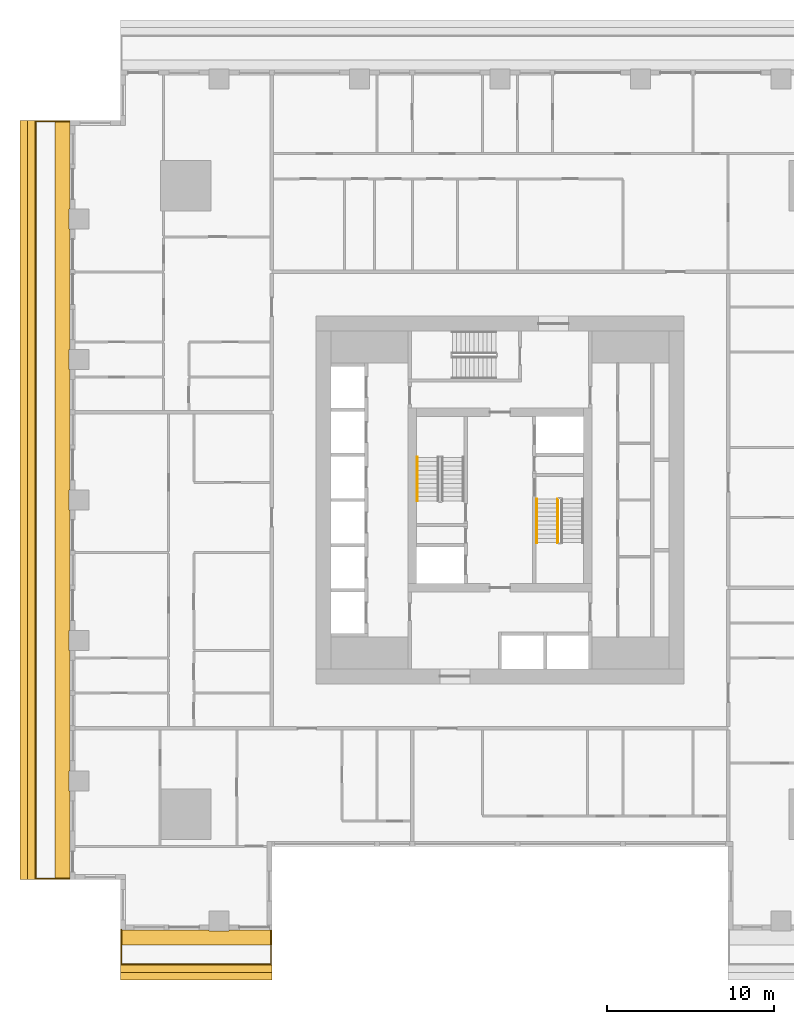
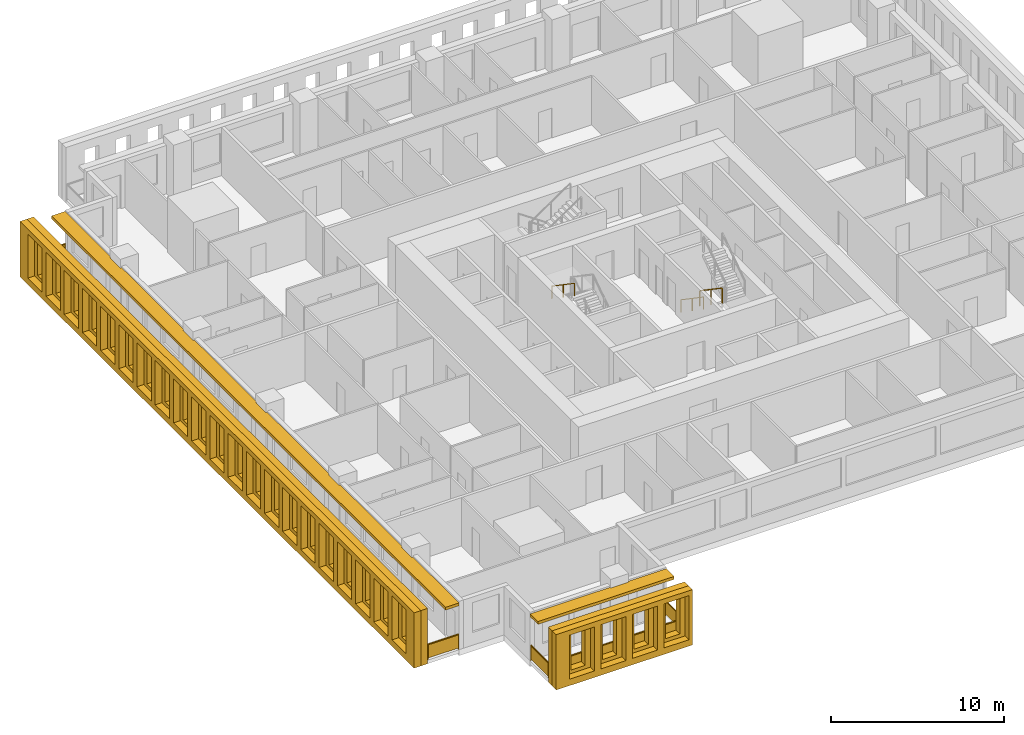
# One storey, part 10 of 14: 6 shading devices, 5 railings.
"""IFC4 building model written with IfcOpenShell, lengths in metres."""

from ifc_helpers import new_model, si_unit, direction, frame, origin, origin_2d, place, context, subcontext, project, spatial, polyline, rectangle, outline, extrude, material, layer, layer_set, type_object, element, save


model = new_model("IFC4")

# Units and contexts
model_context = context("Model", 3, precision=1e-05, world=origin(), true_north=direction((0.0, 1.0)))
body_context = subcontext(model_context, "Body", "Model", "MODEL_VIEW")
ifc_project = project(units=[si_unit("LENGTHUNIT", "METRE"), si_unit("AREAUNIT", "SQUARE_METRE"), si_unit("VOLUMEUNIT", "CUBIC_METRE"), si_unit("PLANEANGLEUNIT", "RADIAN"), si_unit("MASSUNIT", "GRAM", prefix="KILO")], contexts=[model_context])

# Site, building, storey
site_placement = place(None, origin())
site = spatial("IfcSite", under=ifc_project, at=site_placement, CompositionType="ELEMENT")
building_placement = place(site_placement, origin())
building = spatial("IfcBuilding", under=site, at=building_placement, Name="Khepri Terraces", CompositionType="ELEMENT")
storey_placement = place(building_placement, frame((0.0, 0.0, 69.89990234375)))
storey = spatial("IfcBuildingStorey", under=building, at=storey_placement, Name="L16", CompositionType="ELEMENT", Elevation=69.89990234375)

# Railings
ifc_material_1 = material(Name="Stainless steel grade 316", Category="steel")
railing_type_1 = type_object("IfcRailingType", Name="GRD-BAL-1100", PredefinedType="GUARDRAIL", material=ifc_material_1)
railing_1_placement = place(storey_placement, frame((-22.669921875, -25.719970703125, 0.0)))
element("IfcRailing", 1, at=railing_1_placement, inside=storey, type_object=railing_type_1, Name="Balcony guard L16 S", PredefinedType="GUARDRAIL", context=body_context, shape_type="SweptSolid", body=[
    extrude(rectangle(XDim=0.050048828125, YDim=0.06005859375, at=origin_2d()), frame((0.0, 0.0, 1.070068359375), z_axis=(0.0, -1.0, 0.0), x_axis=(1.0, 0.0, 0.0)), (0.0, 0.0, 1.0), 2.050048828125),
    extrude(rectangle(XDim=2.0, YDim=0.011962890625, at=origin_2d()), frame((0.0, -1.02490234375, 0.10009765625), z_axis=(0.0, 0.0, 1.0), x_axis=(0.0, -1.0, 0.0)), (0.0, 0.0, 1.0), 0.93994140625),
    extrude(rectangle(XDim=0.050048828125, YDim=0.06005859375, at=origin_2d()), frame((0.0, -2.050048828125, 1.070068359375), z_axis=(1.0, 0.0, 0.0), x_axis=(0.0, 1.0, 0.0)), (0.0, 0.0, 1.0), 8.969970703125),
    extrude(rectangle(XDim=2.1923828125, YDim=0.011962890625, at=origin_2d()), frame((1.121337890625, -2.050048828125, 0.10009765625), z_axis=(0.0, 0.0, 1.0), x_axis=(1.0, 0.0, 0.0)), (0.0, 0.0, 1.0), 0.93994140625),
    extrude(rectangle(XDim=2.1923828125, YDim=0.011962890625, at=origin_2d()), frame((3.36376953125, -2.050048828125, 0.10009765625), z_axis=(0.0, 0.0, 1.0), x_axis=(1.0, 0.0, 0.0)), (0.0, 0.0, 1.0), 0.93994140625),
    extrude(rectangle(XDim=2.1923828125, YDim=0.011962890625, at=origin_2d()), frame((5.606201171875, -2.050048828125, 0.10009765625), z_axis=(0.0, 0.0, 1.0), x_axis=(1.0, 0.0, 0.0)), (0.0, 0.0, 1.0), 0.93994140625),
    extrude(rectangle(XDim=2.1923828125, YDim=0.011962890625, at=origin_2d()), frame((7.8486328125, -2.050048828125, 0.10009765625), z_axis=(0.0, 0.0, 1.0), x_axis=(1.0, 0.0, 0.0)), (0.0, 0.0, 1.0), 0.93994140625),
    extrude(rectangle(XDim=0.050048828125, YDim=0.06005859375, at=origin_2d()), frame((8.969970703125, -2.050048828125, 1.070068359375), z_axis=(0.0, 1.0, 0.0), x_axis=(-1.0, 0.0, 0.0)), (0.0, 0.0, 1.0), 2.050048828125),
    extrude(rectangle(XDim=2.0, YDim=0.011962890625, at=origin_2d()), frame((8.969970703125, -1.02490234375, 0.10009765625), z_axis=(0.0, 0.0, 1.0), x_axis=(0.0, 1.0, 0.0)), (0.0, 0.0, 1.0), 0.93994140625),
    extrude(rectangle(XDim=0.050048828125, YDim=0.050048828125, at=origin_2d()), origin(), (0.0, 0.0, 1.0), 1.0400390625),
    extrude(rectangle(XDim=0.050048828125, YDim=0.050048828125, at=origin_2d()), frame((0.0, -2.050048828125, 0.0)), (0.0, 0.0, 1.0), 1.0400390625),
    extrude(rectangle(XDim=0.050048828125, YDim=0.050048828125, at=origin_2d()), frame((2.242431640625, -2.050048828125, 0.0)), (0.0, 0.0, 1.0), 1.0400390625),
    extrude(rectangle(XDim=0.050048828125, YDim=0.050048828125, at=origin_2d()), frame((4.48486328125, -2.050048828125, 0.0)), (0.0, 0.0, 1.0), 1.0400390625),
    extrude(rectangle(XDim=0.050048828125, YDim=0.050048828125, at=origin_2d()), frame((6.7275390625, -2.050048828125, 0.0)), (0.0, 0.0, 1.0), 1.0400390625),
    extrude(rectangle(XDim=0.050048828125, YDim=0.050048828125, at=origin_2d()), frame((8.969970703125, -2.050048828125, 0.0)), (0.0, 0.0, 1.0), 1.0400390625),
    extrude(rectangle(XDim=0.050048828125, YDim=0.050048828125, at=origin_2d()), frame((8.969970703125, 0.0, 0.0)), (0.0, 0.0, 1.0), 1.0400390625),
])
railing_2_placement = place(storey_placement, frame((-25.719970703125, 22.669921875, 0.0)))
element("IfcRailing", 2, at=railing_2_placement, inside=storey, type_object=railing_type_1, Name="Balcony guard L16 W", PredefinedType="GUARDRAIL", context=body_context, shape_type="SweptSolid", body=[
    extrude(rectangle(XDim=0.050048828125, YDim=0.06005859375, at=origin_2d()), frame((0.0, 0.0, 1.070068359375), z_axis=(-1.0, 0.0, 0.0), x_axis=(0.0, -1.0, 0.0)), (0.0, 0.0, 1.0), 2.050048828125),
    extrude(rectangle(XDim=2.0, YDim=0.011962890625, at=origin_2d()), frame((-1.02490234375, 0.0, 0.10009765625), z_axis=(0.0, 0.0, 1.0), x_axis=(-1.0, 0.0, 0.0)), (0.0, 0.0, 1.0), 0.93994140625),
    extrude(rectangle(XDim=0.050048828125, YDim=0.06005859375, at=origin_2d()), frame((-2.050048828125, 0.0, 1.070068359375), z_axis=(0.0, -1.0, 0.0), x_axis=(1.0, 0.0, 0.0)), (0.0, 0.0, 1.0), 45.33984375),
    extrude(rectangle(XDim=2.336181640625, YDim=0.011962890625, at=origin_2d()), frame((-2.050048828125, -1.193115234375, 0.10009765625), z_axis=(0.0, 0.0, 1.0), x_axis=(0.0, -1.0, 0.0)), (0.0, 0.0, 1.0), 0.93994140625),
    extrude(rectangle(XDim=2.336181640625, YDim=0.011962890625, at=origin_2d()), frame((-2.050048828125, -3.579345703125, 0.10009765625), z_axis=(0.0, 0.0, 1.0), x_axis=(0.0, -1.0, 0.0)), (0.0, 0.0, 1.0), 0.93994140625),
    extrude(rectangle(XDim=2.336181640625, YDim=0.011962890625, at=origin_2d()), frame((-2.050048828125, -5.9658203125, 0.10009765625), z_axis=(0.0, 0.0, 1.0), x_axis=(0.0, -1.0, 0.0)), (0.0, 0.0, 1.0), 0.93994140625),
    extrude(rectangle(XDim=2.336181640625, YDim=0.011962890625, at=origin_2d()), frame((-2.050048828125, -8.35205078125, 0.10009765625), z_axis=(0.0, 0.0, 1.0), x_axis=(0.0, -1.0, 0.0)), (0.0, 0.0, 1.0), 0.93994140625),
    extrude(rectangle(XDim=2.336181640625, YDim=0.011962890625, at=origin_2d()), frame((-2.050048828125, -10.73828125, 0.10009765625), z_axis=(0.0, 0.0, 1.0), x_axis=(0.0, -1.0, 0.0)), (0.0, 0.0, 1.0), 0.93994140625),
    extrude(rectangle(XDim=2.336181640625, YDim=0.011962890625, at=origin_2d()), frame((-2.050048828125, -13.124755859375, 0.10009765625), z_axis=(0.0, 0.0, 1.0), x_axis=(0.0, -1.0, 0.0)), (0.0, 0.0, 1.0), 0.93994140625),
    extrude(rectangle(XDim=2.336181640625, YDim=0.011962890625, at=origin_2d()), frame((-2.050048828125, -15.510986328125, 0.10009765625), z_axis=(0.0, 0.0, 1.0), x_axis=(0.0, -1.0, 0.0)), (0.0, 0.0, 1.0), 0.93994140625),
    extrude(rectangle(XDim=2.336181640625, YDim=0.011962890625, at=origin_2d()), frame((-2.050048828125, -17.897216796875, 0.10009765625), z_axis=(0.0, 0.0, 1.0), x_axis=(0.0, -1.0, 0.0)), (0.0, 0.0, 1.0), 0.93994140625),
    extrude(rectangle(XDim=2.336181640625, YDim=0.011962890625, at=origin_2d()), frame((-2.050048828125, -20.28369140625, 0.10009765625), z_axis=(0.0, 0.0, 1.0), x_axis=(0.0, -1.0, 0.0)), (0.0, 0.0, 1.0), 0.93994140625),
    extrude(rectangle(XDim=2.336181640625, YDim=0.011962890625, at=origin_2d()), frame((-2.050048828125, -22.669921875, 0.10009765625), z_axis=(0.0, 0.0, 1.0), x_axis=(0.0, -1.0, 0.0)), (0.0, 0.0, 1.0), 0.93994140625),
    extrude(rectangle(XDim=2.336181640625, YDim=0.011962890625, at=origin_2d()), frame((-2.050048828125, -25.05615234375, 0.10009765625), z_axis=(0.0, 0.0, 1.0), x_axis=(0.0, -1.0, 0.0)), (0.0, 0.0, 1.0), 0.93994140625),
    extrude(rectangle(XDim=2.336181640625, YDim=0.011962890625, at=origin_2d()), frame((-2.050048828125, -27.442626953125, 0.10009765625), z_axis=(0.0, 0.0, 1.0), x_axis=(0.0, -1.0, 0.0)), (0.0, 0.0, 1.0), 0.93994140625),
    extrude(rectangle(XDim=2.336181640625, YDim=0.011962890625, at=origin_2d()), frame((-2.050048828125, -29.828857421875, 0.10009765625), z_axis=(0.0, 0.0, 1.0), x_axis=(0.0, -1.0, 0.0)), (0.0, 0.0, 1.0), 0.93994140625),
    extrude(rectangle(XDim=2.336181640625, YDim=0.011962890625, at=origin_2d()), frame((-2.050048828125, -32.215087890625, 0.10009765625), z_axis=(0.0, 0.0, 1.0), x_axis=(0.0, -1.0, 0.0)), (0.0, 0.0, 1.0), 0.93994140625),
    extrude(rectangle(XDim=2.336181640625, YDim=0.011962890625, at=origin_2d()), frame((-2.050048828125, -34.6015625, 0.10009765625), z_axis=(0.0, 0.0, 1.0), x_axis=(0.0, -1.0, 0.0)), (0.0, 0.0, 1.0), 0.93994140625),
    extrude(rectangle(XDim=2.336181640625, YDim=0.011962890625, at=origin_2d()), frame((-2.050048828125, -36.98779296875, 0.10009765625), z_axis=(0.0, 0.0, 1.0), x_axis=(0.0, -1.0, 0.0)), (0.0, 0.0, 1.0), 0.93994140625),
    extrude(rectangle(XDim=2.336181640625, YDim=0.011962890625, at=origin_2d()), frame((-2.050048828125, -39.3740234375, 0.10009765625), z_axis=(0.0, 0.0, 1.0), x_axis=(0.0, -1.0, 0.0)), (0.0, 0.0, 1.0), 0.93994140625),
    extrude(rectangle(XDim=2.336181640625, YDim=0.011962890625, at=origin_2d()), frame((-2.050048828125, -41.760498046875, 0.10009765625), z_axis=(0.0, 0.0, 1.0), x_axis=(0.0, -1.0, 0.0)), (0.0, 0.0, 1.0), 0.93994140625),
    extrude(rectangle(XDim=2.336181640625, YDim=0.011962890625, at=origin_2d()), frame((-2.050048828125, -44.146728515625, 0.10009765625), z_axis=(0.0, 0.0, 1.0), x_axis=(0.0, -1.0, 0.0)), (0.0, 0.0, 1.0), 0.93994140625),
    extrude(rectangle(XDim=0.050048828125, YDim=0.06005859375, at=origin_2d()), frame((-2.050048828125, -45.33984375, 1.070068359375), z_axis=(1.0, 0.0, 0.0), x_axis=(0.0, 1.0, 0.0)), (0.0, 0.0, 1.0), 2.050048828125),
    extrude(rectangle(XDim=2.0, YDim=0.011962890625, at=origin_2d()), frame((-1.02490234375, -45.33984375, 0.10009765625), z_axis=(0.0, 0.0, 1.0), x_axis=(1.0, 0.0, 0.0)), (0.0, 0.0, 1.0), 0.93994140625),
    extrude(rectangle(XDim=0.050048828125, YDim=0.050048828125, at=origin_2d()), origin(), (0.0, 0.0, 1.0), 1.0400390625),
    extrude(rectangle(XDim=0.050048828125, YDim=0.050048828125, at=origin_2d()), frame((-2.050048828125, 0.0, 0.0)), (0.0, 0.0, 1.0), 1.0400390625),
    extrude(rectangle(XDim=0.050048828125, YDim=0.050048828125, at=origin_2d()), frame((-2.050048828125, -2.38623046875, 0.0)), (0.0, 0.0, 1.0), 1.0400390625),
    extrude(rectangle(XDim=0.050048828125, YDim=0.050048828125, at=origin_2d()), frame((-2.050048828125, -4.772705078125, 0.0)), (0.0, 0.0, 1.0), 1.0400390625),
    extrude(rectangle(XDim=0.050048828125, YDim=0.050048828125, at=origin_2d()), frame((-2.050048828125, -7.158935546875, 0.0)), (0.0, 0.0, 1.0), 1.0400390625),
    extrude(rectangle(XDim=0.050048828125, YDim=0.050048828125, at=origin_2d()), frame((-2.050048828125, -9.545166015625, 0.0)), (0.0, 0.0, 1.0), 1.0400390625),
    extrude(rectangle(XDim=0.050048828125, YDim=0.050048828125, at=origin_2d()), frame((-2.050048828125, -11.931640625, 0.0)), (0.0, 0.0, 1.0), 1.0400390625),
    extrude(rectangle(XDim=0.050048828125, YDim=0.050048828125, at=origin_2d()), frame((-2.050048828125, -14.31787109375, 0.0)), (0.0, 0.0, 1.0), 1.0400390625),
    extrude(rectangle(XDim=0.050048828125, YDim=0.050048828125, at=origin_2d()), frame((-2.050048828125, -16.7041015625, 0.0)), (0.0, 0.0, 1.0), 1.0400390625),
    extrude(rectangle(XDim=0.050048828125, YDim=0.050048828125, at=origin_2d()), frame((-2.050048828125, -19.090576171875, 0.0)), (0.0, 0.0, 1.0), 1.0400390625),
    extrude(rectangle(XDim=0.050048828125, YDim=0.050048828125, at=origin_2d()), frame((-2.050048828125, -21.476806640625, 0.0)), (0.0, 0.0, 1.0), 1.0400390625),
    extrude(rectangle(XDim=0.050048828125, YDim=0.050048828125, at=origin_2d()), frame((-2.050048828125, -23.863037109375, 0.0)), (0.0, 0.0, 1.0), 1.0400390625),
    extrude(rectangle(XDim=0.050048828125, YDim=0.050048828125, at=origin_2d()), frame((-2.050048828125, -26.249267578125, 0.0)), (0.0, 0.0, 1.0), 1.0400390625),
    extrude(rectangle(XDim=0.050048828125, YDim=0.050048828125, at=origin_2d()), frame((-2.050048828125, -28.6357421875, 0.0)), (0.0, 0.0, 1.0), 1.0400390625),
    extrude(rectangle(XDim=0.050048828125, YDim=0.050048828125, at=origin_2d()), frame((-2.050048828125, -31.02197265625, 0.0)), (0.0, 0.0, 1.0), 1.0400390625),
    extrude(rectangle(XDim=0.050048828125, YDim=0.050048828125, at=origin_2d()), frame((-2.050048828125, -33.408203125, 0.0)), (0.0, 0.0, 1.0), 1.0400390625),
    extrude(rectangle(XDim=0.050048828125, YDim=0.050048828125, at=origin_2d()), frame((-2.050048828125, -35.794677734375, 0.0)), (0.0, 0.0, 1.0), 1.0400390625),
    extrude(rectangle(XDim=0.050048828125, YDim=0.050048828125, at=origin_2d()), frame((-2.050048828125, -38.180908203125, 0.0)), (0.0, 0.0, 1.0), 1.0400390625),
    extrude(rectangle(XDim=0.050048828125, YDim=0.050048828125, at=origin_2d()), frame((-2.050048828125, -40.567138671875, 0.0)), (0.0, 0.0, 1.0), 1.0400390625),
    extrude(rectangle(XDim=0.050048828125, YDim=0.050048828125, at=origin_2d()), frame((-2.050048828125, -42.95361328125, 0.0)), (0.0, 0.0, 1.0), 1.0400390625),
    extrude(rectangle(XDim=0.050048828125, YDim=0.050048828125, at=origin_2d()), frame((-2.050048828125, -45.33984375, 0.0)), (0.0, 0.0, 1.0), 1.0400390625),
    extrude(rectangle(XDim=0.050048828125, YDim=0.050048828125, at=origin_2d()), frame((0.0, -45.33984375, 0.0)), (0.0, 0.0, 1.0), 1.0400390625),
])
ifc_material_2 = material(Name="Stainless steel 316", Category="steel")
railing_type_2 = type_object("IfcRailingType", Name="RL-CORE-GUARD", PredefinedType="GUARDRAIL", material=ifc_material_2)
railing_3_placement = place(storey_placement, frame((3.449951171875, 0.050048828125, 0.177490234375)))
element("IfcRailing", 3, at=railing_3_placement, inside=storey, type_object=railing_type_2, Name="L16 ST-2 stair guard 1", PredefinedType="GUARDRAIL", context=body_context, shape_type="SweptSolid", body=[
    extrude(rectangle(XDim=0.050048828125, YDim=0.06005859375, at=origin_2d()), frame((0.0, 0.0, 1.070068359375), z_axis=(0.0, -0.826240473404, 0.563317565952), x_axis=(1.0, 0.0, 0.0)), (0.0, 0.0, 1.0), 3.14697265625),
    extrude(rectangle(XDim=0.050048828125, YDim=0.050048828125, at=origin_2d()), origin(), (0.0, 0.0, 1.0), 1.0400390625),
    extrude(rectangle(XDim=0.050048828125, YDim=0.050048828125, at=origin_2d()), frame((0.0, -1.300048828125, 0.88623046875)), (0.0, 0.0, 1.0), 1.0400390625),
    extrude(rectangle(XDim=0.050048828125, YDim=0.050048828125, at=origin_2d()), frame((0.0, -2.60009765625, 1.772705078125)), (0.0, 0.0, 1.0), 1.0400390625),
])
railing_type_3 = type_object("IfcRailingType", Name="RL-CORE-HANDRAIL", PredefinedType="HANDRAIL", material=ifc_material_2)
for number, where, name in (
    (4, (-4.949951171875, 2.550048828125, 2.12744140625), "L16 ST-1 stair handrail 2"),
    (5, (2.199951171875, 0.050048828125, 0.177490234375), "L16 ST-2 stair handrail 1"),
):
    element("IfcRailing", number, at=place(storey_placement, frame(where)), inside=storey, type_object=railing_type_3, Name=name, PredefinedType="HANDRAIL", context=body_context, shape_type="SweptSolid", body=[
        extrude(rectangle(XDim=0.050048828125, YDim=0.050048828125, at=origin_2d()), frame((0.0, 0.0, 0.875), z_axis=(0.0, -0.826240473404, 0.563317565952), x_axis=(1.0, 0.0, 0.0)), (0.0, 0.0, 1.0), 3.14697265625),
        extrude(rectangle(XDim=0.050048828125, YDim=0.050048828125, at=origin_2d()), origin(), (0.0, 0.0, 1.0), 0.849853515625),
        extrude(rectangle(XDim=0.050048828125, YDim=0.050048828125, at=origin_2d()), frame((0.0, -1.300048828125, 0.88623046875)), (0.0, 0.0, 1.0), 0.849853515625),
        extrude(rectangle(XDim=0.050048828125, YDim=0.050048828125, at=origin_2d()), frame((0.0, -2.60009765625, 1.772705078125)), (0.0, 0.0, 1.0), 0.849853515625),
    ])

# Shading devices
ifc_material_3 = material(Name="Precast concrete C50/60 warm stone", Category="masonry")
shading_device_type_1 = type_object("IfcShadingDeviceType", Name="SCR-CELL-INNER-450", PredefinedType="USERDEFINED", material=ifc_material_3)
shading_device_1_placement = place(storey_placement, frame((-22.719970703125, -27.820068359375, -0.25), z_axis=(0.0, -1.0, 0.0), x_axis=(1.0, 0.0, 0.0)))
element("IfcShadingDevice", 6, at=shading_device_1_placement, inside=storey, type_object=shading_device_type_1, Name="Cell screen L16 S in", ObjectType="SCREEN", PredefinedType="USERDEFINED", context=body_context, shape_type="SweptSolid", body=[
    extrude(outline(polyline([(0.0, 0.0), (9.070068359375, 0.0), (9.070068359375, 3.89990234375), (0.0, 3.89990234375), (0.0, 0.0)]), holes=[polyline([(1.24755859375, 0.699951171875), (2.1923828125, 0.699951171875), (2.1923828125, 3.300048828125), (1.24755859375, 3.300048828125), (1.24755859375, 0.699951171875)]), polyline([(3.347412109375, 0.699951171875), (4.29248046875, 0.699951171875), (4.29248046875, 3.300048828125), (3.347412109375, 3.300048828125), (3.347412109375, 0.699951171875)]), polyline([(5.447509765625, 0.699951171875), (6.392578125, 0.699951171875), (6.392578125, 3.300048828125), (5.447509765625, 3.300048828125), (5.447509765625, 0.699951171875)]), polyline([(7.547607421875, 0.699951171875), (8.492431640625, 0.699951171875), (8.492431640625, 3.300048828125), (7.547607421875, 3.300048828125), (7.547607421875, 0.699951171875)])]), origin(), (0.0, 0.0, 1.0), 0.449951171875),
])
shading_device_2_placement = place(storey_placement, frame((-27.820068359375, 22.719970703125, -0.25), z_axis=(-1.0, 0.0, 0.0), x_axis=(0.0, -1.0, 0.0)))
element("IfcShadingDevice", 7, at=shading_device_2_placement, inside=storey, type_object=shading_device_type_1, Name="Cell screen L16 W in", ObjectType="SCREEN", PredefinedType="USERDEFINED", context=body_context, shape_type="SweptSolid", body=[
    extrude(outline(polyline([(0.0, 0.0), (45.43994140625, 0.0), (45.43994140625, 3.89990234375), (0.0, 3.89990234375), (0.0, 0.0)]), holes=[polyline([(1.24755859375, 0.699951171875), (2.1923828125, 0.699951171875), (2.1923828125, 3.300048828125), (1.24755859375, 3.300048828125), (1.24755859375, 0.699951171875)]), polyline([(3.347412109375, 0.699951171875), (4.29248046875, 0.699951171875), (4.29248046875, 3.300048828125), (3.347412109375, 3.300048828125), (3.347412109375, 0.699951171875)]), polyline([(5.447509765625, 0.699951171875), (6.392578125, 0.699951171875), (6.392578125, 3.300048828125), (5.447509765625, 3.300048828125), (5.447509765625, 0.699951171875)]), polyline([(7.547607421875, 0.699951171875), (8.492431640625, 0.699951171875), (8.492431640625, 3.300048828125), (7.547607421875, 3.300048828125), (7.547607421875, 0.699951171875)]), polyline([(9.6474609375, 0.699951171875), (10.592529296875, 0.699951171875), (10.592529296875, 3.300048828125), (9.6474609375, 3.300048828125), (9.6474609375, 0.699951171875)]), polyline([(11.74755859375, 0.699951171875), (12.6923828125, 0.699951171875), (12.6923828125, 3.300048828125), (11.74755859375, 3.300048828125), (11.74755859375, 0.699951171875)]), polyline([(13.847412109375, 0.699951171875), (14.79248046875, 0.699951171875), (14.79248046875, 3.300048828125), (13.847412109375, 3.300048828125), (13.847412109375, 0.699951171875)]), polyline([(15.947509765625, 0.699951171875), (16.892578125, 0.699951171875), (16.892578125, 3.300048828125), (15.947509765625, 3.300048828125), (15.947509765625, 0.699951171875)]), polyline([(18.047607421875, 0.699951171875), (18.992431640625, 0.699951171875), (18.992431640625, 3.300048828125), (18.047607421875, 3.300048828125), (18.047607421875, 0.699951171875)]), polyline([(20.1474609375, 0.699951171875), (21.092529296875, 0.699951171875), (21.092529296875, 3.300048828125), (20.1474609375, 3.300048828125), (20.1474609375, 0.699951171875)]), polyline([(22.24755859375, 0.699951171875), (23.1923828125, 0.699951171875), (23.1923828125, 3.300048828125), (22.24755859375, 3.300048828125), (22.24755859375, 0.699951171875)]), polyline([(24.347412109375, 0.699951171875), (25.29248046875, 0.699951171875), (25.29248046875, 3.300048828125), (24.347412109375, 3.300048828125), (24.347412109375, 0.699951171875)]), polyline([(26.447509765625, 0.699951171875), (27.392578125, 0.699951171875), (27.392578125, 3.300048828125), (26.447509765625, 3.300048828125), (26.447509765625, 0.699951171875)]), polyline([(28.547607421875, 0.699951171875), (29.492431640625, 0.699951171875), (29.492431640625, 3.300048828125), (28.547607421875, 3.300048828125), (28.547607421875, 0.699951171875)]), polyline([(30.6474609375, 0.699951171875), (31.592529296875, 0.699951171875), (31.592529296875, 3.300048828125), (30.6474609375, 3.300048828125), (30.6474609375, 0.699951171875)]), polyline([(32.74755859375, 0.699951171875), (33.6923828125, 0.699951171875), (33.6923828125, 3.300048828125), (32.74755859375, 3.300048828125), (32.74755859375, 0.699951171875)]), polyline([(34.847412109375, 0.699951171875), (35.79248046875, 0.699951171875), (35.79248046875, 3.300048828125), (34.847412109375, 3.300048828125), (34.847412109375, 0.699951171875)]), polyline([(36.947509765625, 0.699951171875), (37.892578125, 0.699951171875), (37.892578125, 3.300048828125), (36.947509765625, 3.300048828125), (36.947509765625, 0.699951171875)]), polyline([(39.047607421875, 0.699951171875), (39.992431640625, 0.699951171875), (39.992431640625, 3.300048828125), (39.047607421875, 3.300048828125), (39.047607421875, 0.699951171875)]), polyline([(41.1474609375, 0.699951171875), (42.092529296875, 0.699951171875), (42.092529296875, 3.300048828125), (41.1474609375, 3.300048828125), (41.1474609375, 0.699951171875)]), polyline([(43.24755859375, 0.699951171875), (44.1923828125, 0.699951171875), (44.1923828125, 3.300048828125), (43.24755859375, 3.300048828125), (43.24755859375, 0.699951171875)])]), origin(), (0.0, 0.0, 1.0), 0.449951171875),
])
shading_device_type_2 = type_object("IfcShadingDeviceType", Name="SCR-CELL-OUTER-450", PredefinedType="USERDEFINED", material=ifc_material_3)
shading_device_3_placement = place(storey_placement, frame((-22.719970703125, -28.27001953125, -0.25), z_axis=(0.0, -1.0, 0.0), x_axis=(1.0, 0.0, 0.0)))
element("IfcShadingDevice", 8, at=shading_device_3_placement, inside=storey, type_object=shading_device_type_2, Name="Cell screen L16 S out", ObjectType="SCREEN", PredefinedType="USERDEFINED", context=body_context, shape_type="SweptSolid", body=[
    extrude(outline(polyline([(0.0, 0.0), (9.070068359375, 0.0), (9.070068359375, 3.89990234375), (0.0, 3.89990234375), (0.0, 0.0)]), holes=[polyline([(0.8974609375, 0.449951171875), (2.54248046875, 0.449951171875), (2.54248046875, 3.550048828125), (0.8974609375, 3.550048828125), (0.8974609375, 0.449951171875)]), polyline([(2.99755859375, 0.449951171875), (4.642578125, 0.449951171875), (4.642578125, 3.550048828125), (2.99755859375, 3.550048828125), (2.99755859375, 0.449951171875)]), polyline([(5.097412109375, 0.449951171875), (6.742431640625, 0.449951171875), (6.742431640625, 3.550048828125), (5.097412109375, 3.550048828125), (5.097412109375, 0.449951171875)]), polyline([(7.197509765625, 0.449951171875), (8.842529296875, 0.449951171875), (8.842529296875, 3.550048828125), (7.197509765625, 3.550048828125), (7.197509765625, 0.449951171875)])]), origin(), (0.0, 0.0, 1.0), 0.449951171875),
])
shading_device_4_placement = place(storey_placement, frame((-28.27001953125, 22.719970703125, -0.25), z_axis=(-1.0, 0.0, 0.0), x_axis=(0.0, -1.0, 0.0)))
element("IfcShadingDevice", 9, at=shading_device_4_placement, inside=storey, type_object=shading_device_type_2, Name="Cell screen L16 W out", ObjectType="SCREEN", PredefinedType="USERDEFINED", context=body_context, shape_type="SweptSolid", body=[
    extrude(outline(polyline([(0.0, 0.0), (45.43994140625, 0.0), (45.43994140625, 3.89990234375), (0.0, 3.89990234375), (0.0, 0.0)]), holes=[polyline([(0.8974609375, 0.449951171875), (2.54248046875, 0.449951171875), (2.54248046875, 3.550048828125), (0.8974609375, 3.550048828125), (0.8974609375, 0.449951171875)]), polyline([(2.99755859375, 0.449951171875), (4.642578125, 0.449951171875), (4.642578125, 3.550048828125), (2.99755859375, 3.550048828125), (2.99755859375, 0.449951171875)]), polyline([(5.097412109375, 0.449951171875), (6.742431640625, 0.449951171875), (6.742431640625, 3.550048828125), (5.097412109375, 3.550048828125), (5.097412109375, 0.449951171875)]), polyline([(7.197509765625, 0.449951171875), (8.842529296875, 0.449951171875), (8.842529296875, 3.550048828125), (7.197509765625, 3.550048828125), (7.197509765625, 0.449951171875)]), polyline([(9.297607421875, 0.449951171875), (10.9423828125, 0.449951171875), (10.9423828125, 3.550048828125), (9.297607421875, 3.550048828125), (9.297607421875, 0.449951171875)]), polyline([(11.3974609375, 0.449951171875), (13.04248046875, 0.449951171875), (13.04248046875, 3.550048828125), (11.3974609375, 3.550048828125), (11.3974609375, 0.449951171875)]), polyline([(13.49755859375, 0.449951171875), (15.142578125, 0.449951171875), (15.142578125, 3.550048828125), (13.49755859375, 3.550048828125), (13.49755859375, 0.449951171875)]), polyline([(15.597412109375, 0.449951171875), (17.242431640625, 0.449951171875), (17.242431640625, 3.550048828125), (15.597412109375, 3.550048828125), (15.597412109375, 0.449951171875)]), polyline([(17.697509765625, 0.449951171875), (19.342529296875, 0.449951171875), (19.342529296875, 3.550048828125), (17.697509765625, 3.550048828125), (17.697509765625, 0.449951171875)]), polyline([(19.797607421875, 0.449951171875), (21.4423828125, 0.449951171875), (21.4423828125, 3.550048828125), (19.797607421875, 3.550048828125), (19.797607421875, 0.449951171875)]), polyline([(21.8974609375, 0.449951171875), (23.54248046875, 0.449951171875), (23.54248046875, 3.550048828125), (21.8974609375, 3.550048828125), (21.8974609375, 0.449951171875)]), polyline([(23.99755859375, 0.449951171875), (25.642578125, 0.449951171875), (25.642578125, 3.550048828125), (23.99755859375, 3.550048828125), (23.99755859375, 0.449951171875)]), polyline([(26.097412109375, 0.449951171875), (27.742431640625, 0.449951171875), (27.742431640625, 3.550048828125), (26.097412109375, 3.550048828125), (26.097412109375, 0.449951171875)]), polyline([(28.197509765625, 0.449951171875), (29.842529296875, 0.449951171875), (29.842529296875, 3.550048828125), (28.197509765625, 3.550048828125), (28.197509765625, 0.449951171875)]), polyline([(30.297607421875, 0.449951171875), (31.9423828125, 0.449951171875), (31.9423828125, 3.550048828125), (30.297607421875, 3.550048828125), (30.297607421875, 0.449951171875)]), polyline([(32.3974609375, 0.449951171875), (34.04248046875, 0.449951171875), (34.04248046875, 3.550048828125), (32.3974609375, 3.550048828125), (32.3974609375, 0.449951171875)]), polyline([(34.49755859375, 0.449951171875), (36.142578125, 0.449951171875), (36.142578125, 3.550048828125), (34.49755859375, 3.550048828125), (34.49755859375, 0.449951171875)]), polyline([(36.597412109375, 0.449951171875), (38.242431640625, 0.449951171875), (38.242431640625, 3.550048828125), (36.597412109375, 3.550048828125), (36.597412109375, 0.449951171875)]), polyline([(38.697509765625, 0.449951171875), (40.342529296875, 0.449951171875), (40.342529296875, 3.550048828125), (38.697509765625, 3.550048828125), (38.697509765625, 0.449951171875)]), polyline([(40.797607421875, 0.449951171875), (42.4423828125, 0.449951171875), (42.4423828125, 3.550048828125), (40.797607421875, 3.550048828125), (40.797607421875, 0.449951171875)]), polyline([(42.8974609375, 0.449951171875), (44.54248046875, 0.449951171875), (44.54248046875, 3.550048828125), (42.8974609375, 3.550048828125), (42.8974609375, 0.449951171875)])]), origin(), (0.0, 0.0, 1.0), 0.449951171875),
])
ifc_layer = layer(ifc_material_3, 0.199951171875, Name="Precast concrete C50/60 warm stone", Category="masonry")
ifc_layer_set = layer_set([ifc_layer], Name="Precast concrete C50/60 warm stone")
shading_device_type_3 = type_object("IfcShadingDeviceType", Name="SSH-BAND-STONE-200", PredefinedType="USERDEFINED", material=ifc_layer_set)
shading_device_5_placement = place(storey_placement, frame((0.0, 0.0, 3.10009765625)))
element("IfcShadingDevice", 10, at=shading_device_5_placement, inside=storey, type_object=shading_device_type_3, Name="Sunshade band L16 S", ObjectType="SUNSHADE", PredefinedType="USERDEFINED", context=body_context, shape_type="SweptSolid", body=[
    extrude(outline(polyline([(-17.39990234375, -25.719970703125), (-22.719970703125, -25.719970703125), (-22.719970703125, -26.6201171875), (-13.64990234375, -26.6201171875), (-13.64990234375, -25.719970703125), (-16.199951171875, -25.719970703125), (-16.199951171875, -25.800048828125), (-17.39990234375, -25.800048828125), (-17.39990234375, -25.719970703125)])), origin(), (0.0, 0.0, 1.0), 0.199951171875),
])
shading_device_6_placement = place(storey_placement, frame((0.0, 0.0, 3.10009765625)))
element("IfcShadingDevice", 11, at=shading_device_6_placement, inside=storey, type_object=shading_device_type_3, Name="Sunshade band L16 W", ObjectType="SUNSHADE", PredefinedType="USERDEFINED", context=body_context, shape_type="SweptSolid", body=[
    extrude(outline(polyline([(-25.719970703125, 17.39990234375), (-25.719970703125, 22.719970703125), (-26.6201171875, 22.719970703125), (-26.6201171875, -22.719970703125), (-25.719970703125, -22.719970703125), (-25.719970703125, -17.39990234375), (-25.800048828125, -17.39990234375), (-25.800048828125, -16.199951171875), (-25.719970703125, -16.199951171875), (-25.719970703125, -9.0), (-25.800048828125, -9.0), (-25.800048828125, -7.800048828125), (-25.719970703125, -7.800048828125), (-25.719970703125, -0.60009765625), (-25.800048828125, -0.60009765625), (-25.800048828125, 0.60009765625), (-25.719970703125, 0.60009765625), (-25.719970703125, 7.800048828125), (-25.800048828125, 7.800048828125), (-25.800048828125, 9.0), (-25.719970703125, 9.0), (-25.719970703125, 16.199951171875), (-25.800048828125, 16.199951171875), (-25.800048828125, 17.39990234375), (-25.719970703125, 17.39990234375)])), origin(), (0.0, 0.0, 1.0), 0.199951171875),
])

save(model, "model.ifc")
